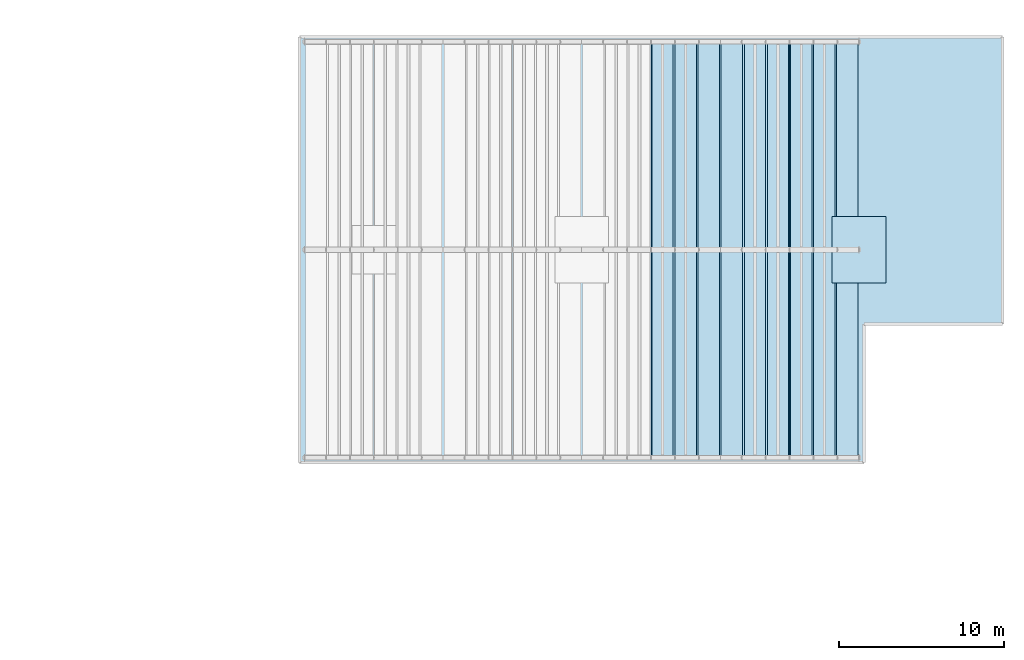
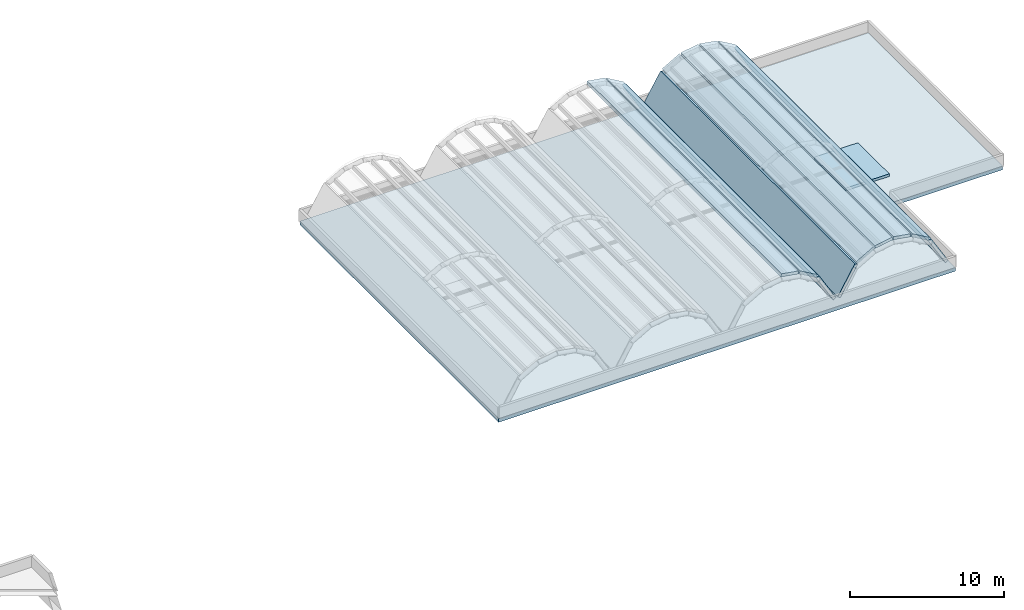
# One storey, part 23 of 34: 11 slabs.
"""IFC4 building model written with IfcOpenShell, lengths in metres."""

from ifc_helpers import new_model, si_unit, direction, frame, origin, place, context, subcontext, project, spatial, polyline, outline, extrude, material, layer, layer_set, type_object, element, save


model = new_model("IFC4")

# Units and contexts
model_context = context("Model", 3, precision=1e-05, world=origin(), true_north=direction((0.0, 1.0)))
body_context = subcontext(model_context, "Body", "Model", "MODEL_VIEW")
ifc_project = project(units=[si_unit("LENGTHUNIT", "METRE"), si_unit("AREAUNIT", "SQUARE_METRE"), si_unit("VOLUMEUNIT", "CUBIC_METRE"), si_unit("PLANEANGLEUNIT", "RADIAN"), si_unit("MASSUNIT", "GRAM", prefix="KILO")], contexts=[model_context])

# Site, building, storey
site_placement = place(None, origin())
site = spatial("IfcSite", under=ifc_project, at=site_placement, CompositionType="ELEMENT")
building_placement = place(site_placement, origin())
building = spatial("IfcBuilding", under=site, at=building_placement, Name="Xazarin Passage Department Store", CompositionType="ELEMENT")
storey_placement = place(building_placement, frame((0.0, 0.0, 18.89990234375)))
storey = spatial("IfcBuildingStorey", under=building, at=storey_placement, Name="L04", CompositionType="ELEMENT", Elevation=18.89990234375)

# Slabs
ifc_material_1 = material(Name="Concrete C35/45", Category="concrete")
ifc_layer_1 = layer(ifc_material_1, 0.2099609375)
ifc_layer_set_1 = layer_set([ifc_layer_1], Name="Concrete C35/45")
slab_type_1 = type_object("IfcSlabType", Name="STR-SLB-OVR210", PredefinedType="ROOF", material=ifc_layer_set_1)
slab_1_placement = place(storey_placement, frame((0.0, 0.0, 0.150146484375)))
element("IfcSlab", 1, at=slab_1_placement, inside=storey, type_object=slab_type_1, Name="Lift GL2 Overrun Roof Slab", PredefinedType="ROOF", context=body_context, shape_type="SweptSolid", body=[
    extrude(outline(polyline([(134.3701171875, 95.3701171875), (137.6298828125, 95.3701171875), (137.6298828125, 99.429931640625), (134.3701171875, 99.429931640625), (134.3701171875, 95.3701171875)])), origin(), (0.0, 0.0, 1.0), 0.2099609375),
])
ifc_layer_2 = layer(ifc_material_1, 0.2900390625)
ifc_layer_set_2 = layer_set([ifc_layer_2], Name="Concrete C35/45")
slab_type_2 = type_object("IfcSlabType", Name="STR-SLB-RF290", PredefinedType="ROOF", material=ifc_layer_set_2)
slab_2_placement = place(storey_placement, frame((0.0, 0.0, -0.289794921875)))
element("IfcSlab", 2, at=slab_2_placement, inside=storey, type_object=slab_type_2, Name="L04 V4 Roof Gutter Apron", PredefinedType="ROOF", context=body_context, shape_type="SweptSolid", body=[
    extrude(outline(polyline([(102.10009765625, 84.5), (136.300048828125, 84.5), (136.300048828125, 92.89990234375), (144.699951171875, 92.89990234375), (144.699951171875, 110.300048828125), (102.10009765625, 110.300048828125), (102.10009765625, 84.5)])), origin(), (0.0, 0.0, 1.0), 0.289794921875),
])
ifc_material_2 = material(Name="Concrete C40/50", Category="concrete")
ifc_layer_3 = layer(ifc_material_2, 0.239990234375)
ifc_layer_set_3 = layer_set([ifc_layer_3], Name="Concrete C40/50")
slab_type_3 = type_object("IfcSlabType", Name="STR-SLB-SHL240", PredefinedType="ROOF", material=ifc_layer_set_3)
slab_3_placement = place(storey_placement, frame((123.4560546875, 84.800048828125, 3.8056640625), z_axis=(0.165278168703, 0.0, 0.986246990845), x_axis=(0.986246990845, 0.0, -0.165278168703)))
element("IfcSlab", 3, at=slab_3_placement, inside=storey, type_object=slab_type_3, Name="L04 V4 Curved Barrel Shell Facet 3.4", PredefinedType="ROOF", context=body_context, shape_type="SweptSolid", body=[
    extrude(outline(polyline([(0.0, 0.0), (1.3058004828708811, 0.0), (1.3058004828708811, 25.199951171875), (0.0, 25.199951171875), (0.0, 0.0)])), origin(), (0.0, 0.0, -1.0), 0.239990234375),
])
slab_4_placement = place(storey_placement, frame((124.85595703125, 84.800048828125, 3.54833984375), z_axis=(0.497890412948, 0.0, 0.867239953355), x_axis=(0.867239953355, 0.0, -0.497890412948)))
element("IfcSlab", 4, at=slab_4_placement, inside=storey, type_object=slab_type_3, Name="L04 V4 Curved Barrel Shell Facet 3.5", PredefinedType="ROOF", context=body_context, shape_type="SweptSolid", body=[
    extrude(outline(polyline([(0.0, 0.0), (1.4852705211714612, 0.0), (1.4852705211714612, 25.199951171875007), (0.0, 25.199951171875007), (0.0, 0.0)])), origin(), (0.0, 0.0, -1.0), 0.239990234375),
])
slab_5_placement = place(storey_placement, frame((126.256103515625, 84.800048828125, 2.68212890625), z_axis=(0.860227148468, 0.0, 0.509911024629), x_axis=(0.509911024629, 0.0, -0.860227148468)))
element("IfcSlab", 5, at=slab_5_placement, inside=storey, type_object=slab_type_3, Name="L04 V4 Curved Barrel Shell Facet 3.6", PredefinedType="ROOF", context=body_context, shape_type="SweptSolid", body=[
    extrude(outline(polyline([(0.0, 0.0), (2.5256206174650546, 0.0), (2.5256206174650546, 25.199951171875), (0.0, 25.199951171875), (0.0, 0.0)])), origin(), (0.0, 0.0, -1.0), 0.239990234375),
])
slab_6_placement = place(storey_placement, frame((127.656005859375, 84.800048828125, 0.509521484375), z_axis=(-0.860184746254, 0.0, 0.509982550987), x_axis=(0.509982550987, 0.0, 0.860184746254)))
element("IfcSlab", 6, at=slab_6_placement, inside=storey, type_object=slab_type_3, Name="L04 V4 Curved Barrel Shell Facet 4.1", PredefinedType="ROOF", context=body_context, shape_type="SweptSolid", body=[
    extrude(outline(polyline([(0.0, 0.0), (2.525745116192762, 0.0), (2.525745116192762, 25.199951171875), (0.0, 25.199951171875), (0.0, 0.0)])), origin(), (0.0, 0.0, -1.0), 0.239990234375),
])
slab_7_placement = place(storey_placement, frame((129.055908203125, 84.800048828125, 2.808837890625), z_axis=(-0.497890412948, 0.0, 0.867239953355), x_axis=(0.867239953355, 0.0, 0.497890412948)))
element("IfcSlab", 7, at=slab_7_placement, inside=storey, type_object=slab_type_3, Name="L04 V4 Curved Barrel Shell Facet 4.2", PredefinedType="ROOF", context=body_context, shape_type="SweptSolid", body=[
    extrude(outline(polyline([(0.0, 0.0), (1.4852705211714612, 0.0), (1.4852705211714612, 25.199951171875007), (0.0, 25.199951171875007), (0.0, 0.0)])), origin(), (0.0, 0.0, -1.0), 0.239990234375),
])
slab_8_placement = place(storey_placement, frame((130.4560546875, 84.800048828125, 3.58984375), z_axis=(-0.165278168703, 0.0, 0.986246990845), x_axis=(0.986246990845, 0.0, 0.165278168703)))
element("IfcSlab", 8, at=slab_8_placement, inside=storey, type_object=slab_type_3, Name="L04 V4 Curved Barrel Shell Facet 4.3", PredefinedType="ROOF", context=body_context, shape_type="SweptSolid", body=[
    extrude(outline(polyline([(0.0, 0.0), (1.3058004828708811, 0.0), (1.3058004828708811, 25.199951171875), (0.0, 25.199951171875), (0.0, 0.0)])), origin(), (0.0, 0.0, -1.0), 0.239990234375),
])
slab_9_placement = place(storey_placement, frame((131.85595703125, 84.800048828125, 3.8056640625), z_axis=(0.16524769779, 0.0, 0.986252096766), x_axis=(0.986252096766, 0.0, -0.16524769779)))
element("IfcSlab", 9, at=slab_9_placement, inside=storey, type_object=slab_type_3, Name="L04 V4 Curved Barrel Shell Facet 4.4", PredefinedType="ROOF", context=body_context, shape_type="SweptSolid", body=[
    extrude(outline(polyline([(0.0, 0.0), (1.3060412664509693, 0.0), (1.3060412664509693, 25.199951171875007), (0.0, 25.199951171875007), (0.0, 0.0)])), origin(), (0.0, 0.0, -1.0), 0.239990234375),
])
slab_10_placement = place(storey_placement, frame((133.256103515625, 84.800048828125, 3.54833984375), z_axis=(0.497961396747, 0.0, 0.867199197042), x_axis=(0.867199197042, 0.0, -0.497961396747)))
element("IfcSlab", 10, at=slab_10_placement, inside=storey, type_object=slab_type_3, Name="L04 V4 Curved Barrel Shell Facet 4.5", PredefinedType="ROOF", context=body_context, shape_type="SweptSolid", body=[
    extrude(outline(polyline([(0.0, 0.0), (1.4850587976420053, 0.0), (1.4850587976420053, 25.199951171875007), (0.0, 25.199951171875007), (0.0, 0.0)])), origin(), (0.0, 0.0, -1.0), 0.239990234375),
])
slab_11_placement = place(storey_placement, frame((134.656005859375, 84.800048828125, 2.68212890625), z_axis=(0.860184746254, 0.0, 0.509982550987), x_axis=(0.509982550987, 0.0, -0.860184746254)))
element("IfcSlab", 11, at=slab_11_placement, inside=storey, type_object=slab_type_3, Name="L04 V4 Curved Barrel Shell Facet 4.6", PredefinedType="ROOF", context=body_context, shape_type="SweptSolid", body=[
    extrude(outline(polyline([(0.0, 0.0), (2.525745116192762, 0.0), (2.525745116192762, 25.199951171875), (0.0, 25.199951171875), (0.0, 0.0)])), origin(), (0.0, 0.0, -1.0), 0.239990234375),
])

save(model, "model.ifc")
